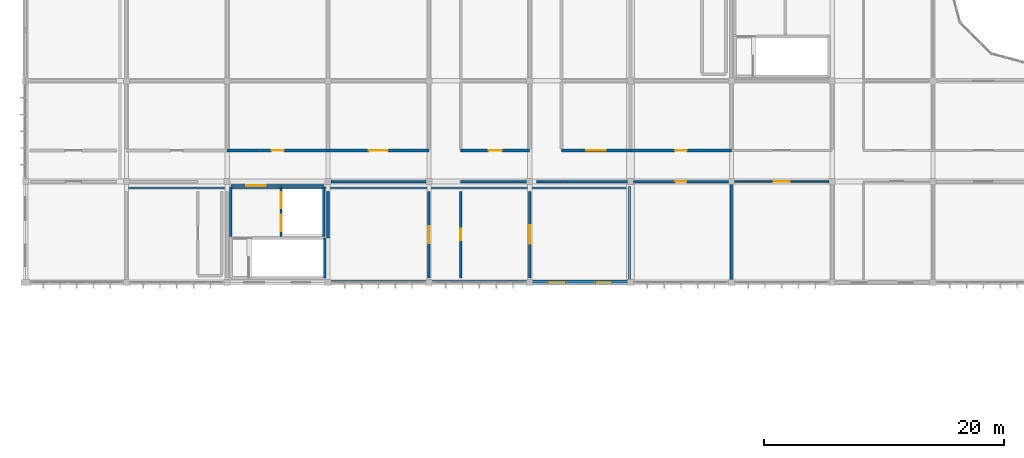
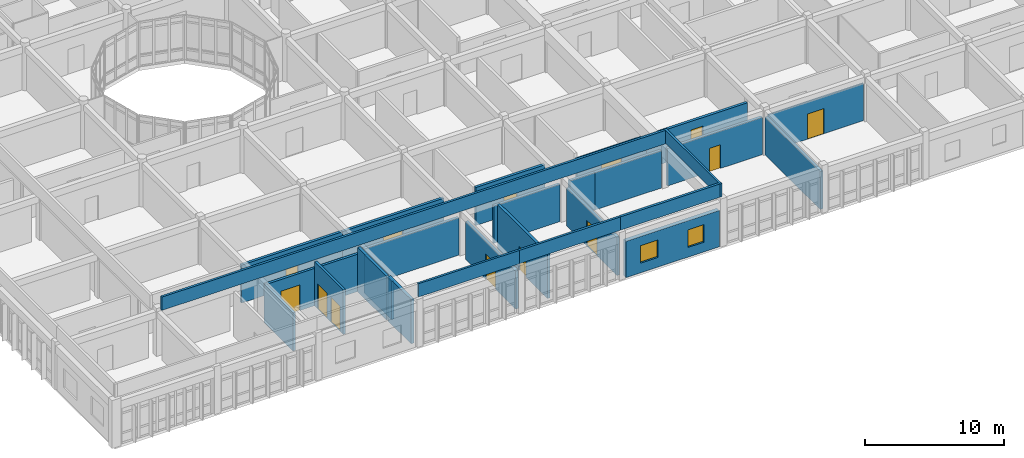
# One storey, part 77 of 119: 28 walls, 13 doors, 2 windows, 15 openings.
"""IFC4 building model written with IfcOpenShell, lengths in metres."""

from ifc_helpers import new_model, si_unit, direction, frame, frame_2d, origin, place, context, subcontext, project, spatial, rectangle, extrude, material, layer, layer_set, type_object, element, fill, save


model = new_model("IFC4")

# Units and contexts
model_context = context("Model", 3, precision=1e-05, world=origin(), true_north=direction((0.0, 1.0)))
body_context = subcontext(model_context, "Body", "Model", "MODEL_VIEW")
ifc_project = project(units=[si_unit("LENGTHUNIT", "METRE"), si_unit("AREAUNIT", "SQUARE_METRE"), si_unit("VOLUMEUNIT", "CUBIC_METRE"), si_unit("PLANEANGLEUNIT", "RADIAN"), si_unit("MASSUNIT", "GRAM", prefix="KILO")], contexts=[model_context])

# Site, building, storey
site_placement = place(None, origin())
site = spatial("IfcSite", under=ifc_project, at=site_placement, CompositionType="ELEMENT")
building_placement = place(site_placement, origin())
building = spatial("IfcBuilding", under=site, at=building_placement, Name="Bramfleet General Hospital", CompositionType="ELEMENT")
storey_placement = place(building_placement, frame((0.0, 0.0, 14.39990234375)))
storey = spatial("IfcBuildingStorey", under=building, at=storey_placement, Name="L03", CompositionType="ELEMENT", Elevation=14.39990234375)

# Wall, openings, windows
ifc_material_1 = material(Name="Precast concrete C40/50", Category="concrete")
ifc_layer_1 = layer(ifc_material_1, 0.3349609375, Name="WT-EW-03")
ifc_layer_set_1 = layer_set([ifc_layer_1], Name="Precast concrete C40/50")
wall_type_1 = type_object("IfcWallType", Name="WT-EW-03", PredefinedType="SOLIDWALL", material=ifc_layer_set_1)
wall_1_placement = place(storey_placement, frame((50.074951171875, 50.39990234375, 0.0), z_axis=(0.0, 0.0, 1.0), x_axis=(-1.0, 0.0, 0.0)))
wall_1 = element("IfcWall", 1, at=wall_1_placement, inside=storey, type_object=wall_type_1, Name="L03 Exterior Wall 274", PredefinedType="SOLIDWALL", context=body_context, shape_type="SweptSolid", body=[
    extrude(rectangle(XDim=7.75, YDim=0.3349609375, at=frame_2d((3.875, 0.0))), origin(), (0.0, 0.0, 1.0), 3.190185546875),
])
opening_1_placement = place(wall_1_placement, frame((1.262451171875, 0.0, 0.85009765625)))
opening_1 = element("IfcOpeningElement", 2, at=opening_1_placement, cuts=wall_1, Name="Opening W-24", PredefinedType="OPENING", context=body_context, shape_type="SweptSolid", body=[
    extrude(rectangle(XDim=1.35009765625, YDim=1.5400390625, at=frame_2d((0.675048828125, 0.77001953125))), frame((0.0, 0.177490234375, 0.0), z_axis=(0.0, -1.0, 0.0), x_axis=(1.0, 0.0, 0.0)), (0.0, 0.0, 1.0), 0.35498046875),
])
opening_2_placement = place(wall_1_placement, frame((5.08740234375, 0.0, 0.85009765625)))
opening_2 = element("IfcOpeningElement", 3, at=opening_2_placement, cuts=wall_1, Name="Opening W-25", PredefinedType="OPENING", context=body_context, shape_type="SweptSolid", body=[
    extrude(rectangle(XDim=1.449951171875, YDim=1.5400390625, at=frame_2d((0.72509765625, 0.77001953125))), frame((0.0, 0.177490234375, 0.0), z_axis=(0.0, -1.0, 0.0), x_axis=(1.0, 0.0, 0.0)), (0.0, 0.0, 1.0), 0.35498046875),
])
ifc_material_2 = material(Name="Anodised aluminium and low-E triple glazing", Category="aluminium")
window_type_1 = type_object("IfcWindowType", Name="WIN-W-24", PartitioningType="SINGLE_PANEL", PredefinedType="WINDOW", material=ifc_material_2)
window_1_placement = place(opening_1_placement, origin())
window_1 = element("IfcWindow", 4, at=window_1_placement, inside=storey, type_object=window_type_1, Name="L03 Facade Window WIN-L03-274-1", OverallHeight=1.5400390625, OverallWidth=1.35009765625, PartitioningType="SINGLE_PANEL", PredefinedType="WINDOW", context=body_context, shape_type="SweptSolid", body=[
    extrude(rectangle(XDim=1.35009765625, YDim=1.5400390625, at=frame_2d((0.675048828125, 0.77001953125))), frame((0.0, 0.030029296875, 0.0), z_axis=(0.0, -1.0, 0.0), x_axis=(1.0, 0.0, 0.0)), (0.0, 0.0, 1.0), 0.06005859375),
])
fill(opening_1, window_1)
window_type_2 = type_object("IfcWindowType", Name="WIN-W-25", PartitioningType="SINGLE_PANEL", PredefinedType="WINDOW", material=ifc_material_2)
window_2_placement = place(opening_2_placement, origin())
window_2 = element("IfcWindow", 5, at=window_2_placement, inside=storey, type_object=window_type_2, Name="L03 Facade Window WIN-L03-274-2", OverallHeight=1.5400390625, OverallWidth=1.449951171875, PartitioningType="SINGLE_PANEL", PredefinedType="WINDOW", context=body_context, shape_type="SweptSolid", body=[
    extrude(rectangle(XDim=1.449951171875, YDim=1.5400390625, at=frame_2d((0.72509765625, 0.77001953125))), frame((0.0, 0.030029296875, 0.0), z_axis=(0.0, -1.0, 0.0), x_axis=(1.0, 0.0, 0.0)), (0.0, 0.0, 1.0), 0.06005859375),
])
fill(opening_2, window_2)

# Walls
ifc_material_3 = material(Name="Concrete C35/45", Category="concrete")
ifc_layer_2 = layer(ifc_material_3, 0.219970703125, Name="WT-IW-01")
ifc_layer_set_2 = layer_set([ifc_layer_2], Name="Concrete C35/45")
wall_type_2 = type_object("IfcWallType", Name="WT-IW-01", PredefinedType="PARTITIONING", material=ifc_layer_set_2)
wall_2_placement = place(storey_placement, frame((25.445068359375, 58.800048828125, 0.0), z_axis=(0.0, 0.0, 1.0), x_axis=(1.0, 0.0, 0.0)))
element("IfcWall", 6, at=wall_2_placement, inside=storey, type_object=wall_type_2, Name="L03 Interior Partition IW-L03-2538", PredefinedType="PARTITIONING", context=body_context, shape_type="SweptSolid", body=[
    extrude(rectangle(XDim=7.909912109375, YDim=0.219970703125, at=frame_2d((3.955078125, 0.0))), origin(), (0.0, 0.0, 1.0), 3.280029296875),
])
wall_3_placement = place(storey_placement, frame((36.25, 58.800048828125, 0.0), z_axis=(0.0, 0.0, 1.0), x_axis=(1.0, 0.0, 0.0)))
element("IfcWall", 7, at=wall_3_placement, inside=storey, type_object=wall_type_2, Name="L03 Interior Partition IW-L03-2539", PredefinedType="PARTITIONING", context=body_context, shape_type="SweptSolid", body=[
    extrude(rectangle(XDim=5.5048828125, YDim=0.219970703125, at=frame_2d((2.75244140625, 0.0))), origin(), (0.0, 0.0, 1.0), 3.280029296875),
])
wall_4_placement = place(storey_placement, frame((42.550048828125, 58.800048828125, 0.0), z_axis=(0.0, 0.0, 1.0), x_axis=(1.0, 0.0, 0.0)))
element("IfcWall", 8, at=wall_4_placement, inside=storey, type_object=wall_type_2, Name="L03 Interior Partition IW-L03-2540", PredefinedType="PARTITIONING", context=body_context, shape_type="SweptSolid", body=[
    extrude(rectangle(XDim=2.099853515625, YDim=0.219970703125, at=frame_2d((1.0498046875, 0.0))), origin(), (0.0, 0.0, 1.0), 3.280029296875),
])
wall_5_placement = place(storey_placement, frame((44.64990234375, 58.800048828125, 0.0), z_axis=(0.0, 0.0, 1.0), x_axis=(1.0, 0.0, 0.0)))
element("IfcWall", 9, at=wall_5_placement, inside=storey, type_object=wall_type_2, Name="L03 Interior Partition IW-L03-2541", PredefinedType="PARTITIONING", context=body_context, shape_type="SweptSolid", body=[
    extrude(rectangle(XDim=5.505126953125, YDim=0.219970703125, at=frame_2d((2.75244140625, 0.0))), origin(), (0.0, 0.0, 1.0), 3.280029296875),
])

# Wall, opening, door
wall_6_placement = place(storey_placement, frame((50.64501953125, 58.800048828125, 0.0), z_axis=(0.0, 0.0, 1.0), x_axis=(1.0, 0.0, 0.0)))
wall_6 = element("IfcWall", 10, at=wall_6_placement, inside=storey, type_object=wall_type_2, Name="L03 Interior Partition IW-L03-2542", PredefinedType="PARTITIONING", context=body_context, shape_type="SweptSolid", body=[
    extrude(rectangle(XDim=7.909912109375, YDim=0.219970703125, at=frame_2d((3.955078125, 0.0))), origin(), (0.0, 0.0, 1.0), 3.280029296875),
])
opening_3_placement = place(wall_6_placement, frame((3.4951171875, 0.0, 0.0)))
opening_3 = element("IfcOpeningElement", 11, at=opening_3_placement, cuts=wall_6, Name="Opening D1081", PredefinedType="OPENING", context=body_context, shape_type="SweptSolid", body=[
    extrude(rectangle(XDim=0.919921875, YDim=2.080078125, at=frame_2d((0.4599609375, 1.0400390625))), frame((0.0, 0.119873046875, 0.0), z_axis=(0.0, -1.0, 0.0), x_axis=(1.0, 0.0, 0.0)), (0.0, 0.0, 1.0), 0.239990234375),
])
ifc_material_4 = material(Name="Stainless steel and acoustic timber leaf", Category="steel")
door_type_1 = type_object("IfcDoorType", Name="DR-D-25", OperationType="NOTDEFINED", PredefinedType="DOOR", material=ifc_material_4)
door_1_placement = place(opening_3_placement, origin())
door_1 = element("IfcDoor", 12, at=door_1_placement, inside=storey, type_object=door_type_1, Name="Surgical Air-Handling Plant Room L03-0606 Door D1081", OperationType="SINGLE_SWING_RIGHT", OverallHeight=2.080078125, OverallWidth=0.919921875, PredefinedType="DOOR", context=body_context, shape_type="SweptSolid", body=[
    extrude(rectangle(XDim=0.919921875, YDim=2.080078125, at=frame_2d((0.4599609375, 1.0400390625))), frame((0.0, 0.02490234375, 0.0), z_axis=(0.0, -1.0, 0.0), x_axis=(1.0, 0.0, 0.0)), (0.0, 0.0, 1.0), 0.050048828125),
])
fill(opening_3, door_1)

wall_7_placement = place(storey_placement, frame((16.800048828125, 61.39990234375, 0.0), z_axis=(0.0, 0.0, 1.0), x_axis=(1.0, 0.0, 0.0)))
wall_7 = element("IfcWall", 13, at=wall_7_placement, inside=storey, type_object=wall_type_2, Name="L03 Interior Partition IW-L03-2554", PredefinedType="PARTITIONING", context=body_context, shape_type="SweptSolid", body=[
    extrude(rectangle(XDim=8.39990234375, YDim=0.219970703125, at=frame_2d((4.199951171875, 0.0))), origin(), (0.0, 0.0, 1.0), 3.330078125),
])
opening_4_placement = place(wall_7_placement, frame((3.68994140625, 0.0, 0.0)))
opening_4 = element("IfcOpeningElement", 14, at=opening_4_placement, cuts=wall_7, Name="Opening D1045", PredefinedType="OPENING", context=body_context, shape_type="SweptSolid", body=[
    extrude(rectangle(XDim=1.02001953125, YDim=2.1201171875, at=frame_2d((0.510009765625, 1.06005859375))), frame((0.0, 0.119873046875, 0.0), z_axis=(0.0, -1.0, 0.0), x_axis=(1.0, 0.0, 0.0)), (0.0, 0.0, 1.0), 0.239990234375),
])
door_type_2 = type_object("IfcDoorType", Name="DR-D-21", OperationType="NOTDEFINED", PredefinedType="DOOR", material=ifc_material_4)
door_2_placement = place(opening_4_placement, origin())
door_2 = element("IfcDoor", 15, at=door_2_placement, inside=storey, type_object=door_type_2, Name="Surgical Air-Handling Plant Room L03-0207 Door D1045", OperationType="SINGLE_SWING_RIGHT", OverallHeight=2.1201171875, OverallWidth=1.02001953125, PredefinedType="DOOR", context=body_context, shape_type="SweptSolid", body=[
    extrude(rectangle(XDim=1.02001953125, YDim=2.1201171875, at=frame_2d((0.510009765625, 1.06005859375))), frame((0.0, 0.02490234375, 0.0), z_axis=(0.0, -1.0, 0.0), x_axis=(1.0, 0.0, 0.0)), (0.0, 0.0, 1.0), 0.050048828125),
])
fill(opening_4, door_2)

wall_8_placement = place(storey_placement, frame((25.199951171875, 61.39990234375, 0.0), z_axis=(0.0, 0.0, 1.0), x_axis=(1.0, 0.0, 0.0)))
wall_8 = element("IfcWall", 16, at=wall_8_placement, inside=storey, type_object=wall_type_2, Name="L03 Interior Partition IW-L03-2555", PredefinedType="PARTITIONING", context=body_context, shape_type="SweptSolid", body=[
    extrude(rectangle(XDim=8.400146484375, YDim=0.219970703125, at=frame_2d((4.2001953125, 0.0))), origin(), (0.0, 0.0, 1.0), 3.330078125),
])
opening_5_placement = place(wall_8_placement, frame((3.409912109375, 0.0, 0.0)))
opening_5 = element("IfcOpeningElement", 17, at=opening_5_placement, cuts=wall_8, Name="Opening D1056", PredefinedType="OPENING", context=body_context, shape_type="SweptSolid", body=[
    extrude(rectangle(XDim=1.580078125, YDim=2.219970703125, at=frame_2d((0.7900390625, 1.10986328125))), frame((0.0, 0.119873046875, 0.0), z_axis=(0.0, -1.0, 0.0), x_axis=(1.0, 0.0, 0.0)), (0.0, 0.0, 1.0), 0.239990234375),
])
door_type_3 = type_object("IfcDoorType", Name="DR-D-32", OperationType="NOTDEFINED", PredefinedType="DOOR", material=ifc_material_4)
door_3_placement = place(opening_5_placement, origin())
door_3 = element("IfcDoor", 18, at=door_3_placement, inside=storey, type_object=door_type_3, Name="Surgical Air-Handling Plant Room L03-0307 Door D1056", OperationType="DOUBLE_SWING_LEFT", OverallHeight=2.219970703125, OverallWidth=1.580078125, PredefinedType="DOOR", context=body_context, shape_type="SweptSolid", body=[
    extrude(rectangle(XDim=1.580078125, YDim=2.219970703125, at=frame_2d((0.7900390625, 1.10986328125))), frame((0.0, 0.02490234375, 0.0), z_axis=(0.0, -1.0, 0.0), x_axis=(1.0, 0.0, 0.0)), (0.0, 0.0, 1.0), 0.050048828125),
])
fill(opening_5, door_3)

wall_9_placement = place(storey_placement, frame((36.25, 61.39990234375, 0.0), z_axis=(0.0, 0.0, 1.0), x_axis=(1.0, 0.0, 0.0)))
wall_9 = element("IfcWall", 19, at=wall_9_placement, inside=storey, type_object=wall_type_2, Name="L03 Interior Partition IW-L03-2556", PredefinedType="PARTITIONING", context=body_context, shape_type="SweptSolid", body=[
    extrude(rectangle(XDim=5.75, YDim=0.219970703125, at=frame_2d((2.875, 0.0))), origin(), (0.0, 0.0, 1.0), 3.330078125),
])
opening_6_placement = place(wall_9_placement, frame((2.324951171875, 0.0, 0.0)))
opening_6 = element("IfcOpeningElement", 20, at=opening_6_placement, cuts=wall_9, Name="Opening D1067", PredefinedType="OPENING", context=body_context, shape_type="SweptSolid", body=[
    extrude(rectangle(XDim=1.10009765625, YDim=2.14990234375, at=frame_2d((0.550048828125, 1.074951171875))), frame((0.0, 0.119873046875, 0.0), z_axis=(0.0, -1.0, 0.0), x_axis=(1.0, 0.0, 0.0)), (0.0, 0.0, 1.0), 0.239990234375),
])
door_type_4 = type_object("IfcDoorType", Name="DR-D-11", OperationType="NOTDEFINED", PredefinedType="DOOR", material=ifc_material_4)
door_4_placement = place(opening_6_placement, origin())
door_4 = element("IfcDoor", 21, at=door_4_placement, inside=storey, type_object=door_type_4, Name="Surgical Air-Handling Plant Room L03-0407 Door D1067", OperationType="SINGLE_SWING_RIGHT", OverallHeight=2.14990234375, OverallWidth=1.10009765625, PredefinedType="DOOR", context=body_context, shape_type="SweptSolid", body=[
    extrude(rectangle(XDim=1.10009765625, YDim=2.14990234375, at=frame_2d((0.550048828125, 1.074951171875))), frame((0.0, 0.02490234375, 0.0), z_axis=(0.0, -1.0, 0.0), x_axis=(1.0, 0.0, 0.0)), (0.0, 0.0, 1.0), 0.050048828125),
])
fill(opening_6, door_4)

wall_10_placement = place(storey_placement, frame((44.64990234375, 61.39990234375, 0.0), z_axis=(0.0, 0.0, 1.0), x_axis=(1.0, 0.0, 0.0)))
wall_10 = element("IfcWall", 22, at=wall_10_placement, inside=storey, type_object=wall_type_2, Name="L03 Interior Partition IW-L03-2557", PredefinedType="PARTITIONING", context=body_context, shape_type="SweptSolid", body=[
    extrude(rectangle(XDim=5.75, YDim=0.219970703125, at=frame_2d((2.875, 0.0))), origin(), (0.0, 0.0, 1.0), 2.880126953125),
])
opening_7_placement = place(wall_10_placement, frame((2.054931640625, 0.0, 0.0)))
opening_7 = element("IfcOpeningElement", 23, at=opening_7_placement, cuts=wall_10, Name="Opening D1074", PredefinedType="OPENING", context=body_context, shape_type="SweptSolid", body=[
    extrude(rectangle(XDim=1.639892578125, YDim=2.280029296875, at=frame_2d((0.81982421875, 1.14013671875))), frame((0.0, 0.119873046875, 0.0), z_axis=(0.0, -1.0, 0.0), x_axis=(1.0, 0.0, 0.0)), (0.0, 0.0, 1.0), 0.239990234375),
])
door_type_5 = type_object("IfcDoorType", Name="DR-D-18", OperationType="NOTDEFINED", PredefinedType="DOOR", material=ifc_material_4)
door_5_placement = place(opening_7_placement, origin())
door_5 = element("IfcDoor", 24, at=door_5_placement, inside=storey, type_object=door_type_5, Name="Surgical Air-Handling Plant Room L03-0507 Door D1074", OperationType="DOUBLE_SWING_LEFT", OverallHeight=2.280029296875, OverallWidth=1.639892578125, PredefinedType="DOOR", context=body_context, shape_type="SweptSolid", body=[
    extrude(rectangle(XDim=1.639892578125, YDim=2.280029296875, at=frame_2d((0.81982421875, 1.14013671875))), frame((0.0, 0.02490234375, 0.0), z_axis=(0.0, -1.0, 0.0), x_axis=(1.0, 0.0, 0.0)), (0.0, 0.0, 1.0), 0.050048828125),
])
fill(opening_7, door_5)

wall_11_placement = place(storey_placement, frame((50.39990234375, 61.39990234375, 0.0), z_axis=(0.0, 0.0, 1.0), x_axis=(1.0, 0.0, 0.0)))
wall_11 = element("IfcWall", 25, at=wall_11_placement, inside=storey, type_object=wall_type_2, Name="L03 Interior Partition IW-L03-2558", PredefinedType="PARTITIONING", context=body_context, shape_type="SweptSolid", body=[
    extrude(rectangle(XDim=8.400146484375, YDim=0.219970703125, at=frame_2d((4.2001953125, 0.0))), origin(), (0.0, 0.0, 1.0), 2.880126953125),
])
opening_8_placement = place(wall_11_placement, frame((3.7099609375, 0.0, 0.0)))
opening_8 = element("IfcOpeningElement", 26, at=opening_8_placement, cuts=wall_11, Name="Opening D1082", PredefinedType="OPENING", context=body_context, shape_type="SweptSolid", body=[
    extrude(rectangle(XDim=0.97998046875, YDim=2.1201171875, at=frame_2d((0.489990234375, 1.06005859375))), frame((0.0, 0.119873046875, 0.0), z_axis=(0.0, -1.0, 0.0), x_axis=(1.0, 0.0, 0.0)), (0.0, 0.0, 1.0), 0.239990234375),
])
door_type_6 = type_object("IfcDoorType", Name="DR-D-26", OperationType="NOTDEFINED", PredefinedType="DOOR", material=ifc_material_4)
door_6_placement = place(opening_8_placement, origin())
door_6 = element("IfcDoor", 27, at=door_6_placement, inside=storey, type_object=door_type_6, Name="Surgical Air-Handling Plant Room L03-0607 Door D1082", OperationType="SINGLE_SWING_LEFT", OverallHeight=2.1201171875, OverallWidth=0.97998046875, PredefinedType="DOOR", context=body_context, shape_type="SweptSolid", body=[
    extrude(rectangle(XDim=0.97998046875, YDim=2.1201171875, at=frame_2d((0.489990234375, 1.06005859375))), frame((0.0, 0.02490234375, 0.0), z_axis=(0.0, -1.0, 0.0), x_axis=(1.0, 0.0, 0.0)), (0.0, 0.0, 1.0), 0.050048828125),
])
fill(opening_8, door_6)

# Wall
wall_12_placement = place(storey_placement, frame((25.199951171875, 54.10009765625, 0.0), z_axis=(0.0, 0.0, 1.0), x_axis=(0.0, 1.0, 0.0)))
element("IfcWall", 28, at=wall_12_placement, inside=storey, type_object=wall_type_2, Name="L03 Interior Partition IW-L03-2805", PredefinedType="PARTITIONING", context=body_context, shape_type="SweptSolid", body=[
    extrude(rectangle(XDim=3.8974609375, YDim=0.219970703125, at=frame_2d((1.94873046875, 0.0))), origin(), (0.0, 0.0, 1.0), 3.340087890625),
])

# Wall, opening, door
wall_13_placement = place(storey_placement, frame((33.60009765625, 50.782470703125, 0.0), z_axis=(0.0, 0.0, 1.0), x_axis=(0.0, 1.0, 0.0)))
wall_13 = element("IfcWall", 29, at=wall_13_placement, inside=storey, type_object=wall_type_2, Name="L03 Interior Partition IW-L03-2822", PredefinedType="PARTITIONING", context=body_context, shape_type="SweptSolid", body=[
    extrude(rectangle(XDim=7.215087890625, YDim=0.219970703125, at=frame_2d((3.607421875, 0.0))), origin(), (0.0, 0.0, 1.0), 3.340087890625),
])
opening_9_placement = place(wall_13_placement, frame((2.8974609375, 0.0, 0.0)))
opening_9 = element("IfcOpeningElement", 30, at=opening_9_placement, cuts=wall_13, Name="Opening D1055", PredefinedType="OPENING", context=body_context, shape_type="SweptSolid", body=[
    extrude(rectangle(XDim=1.419921875, YDim=2.219970703125, at=frame_2d((0.7099609375, 1.10986328125))), frame((0.0, 0.119873046875, 0.0), z_axis=(0.0, -1.0, 0.0), x_axis=(1.0, 0.0, 0.0)), (0.0, 0.0, 1.0), 0.239990234375),
])
door_type_7 = type_object("IfcDoorType", Name="DR-D-31", OperationType="NOTDEFINED", PredefinedType="DOOR", material=ifc_material_4)
door_7_placement = place(opening_9_placement, origin())
door_7 = element("IfcDoor", 31, at=door_7_placement, inside=storey, type_object=door_type_7, Name="Surgical Air-Handling Plant Room L03-0306 Door D1055", OperationType="SINGLE_SWING_RIGHT", OverallHeight=2.219970703125, OverallWidth=1.419921875, PredefinedType="DOOR", context=body_context, shape_type="SweptSolid", body=[
    extrude(rectangle(XDim=1.419921875, YDim=2.219970703125, at=frame_2d((0.7099609375, 1.10986328125))), frame((0.0, 0.02490234375, 0.0), z_axis=(0.0, -1.0, 0.0), x_axis=(1.0, 0.0, 0.0)), (0.0, 0.0, 1.0), 0.050048828125),
])
fill(opening_9, door_7)

wall_14_placement = place(storey_placement, frame((36.25, 50.782470703125, 0.0), z_axis=(0.0, 0.0, 1.0), x_axis=(0.0, 1.0, 0.0)))
wall_14 = element("IfcWall", 32, at=wall_14_placement, inside=storey, type_object=wall_type_2, Name="L03 Interior Partition IW-L03-2832", PredefinedType="PARTITIONING", context=body_context, shape_type="SweptSolid", body=[
    extrude(rectangle(XDim=7.215087890625, YDim=0.219970703125, at=frame_2d((3.607421875, 0.0))), origin(), (0.0, 0.0, 1.0), 3.89013671875),
])
opening_10_placement = place(wall_14_placement, frame((3.132568359375, 0.0, 0.0)))
opening_10 = element("IfcOpeningElement", 33, at=opening_10_placement, cuts=wall_14, Name="Opening D1066", PredefinedType="OPENING", context=body_context, shape_type="SweptSolid", body=[
    extrude(rectangle(XDim=0.949951171875, YDim=2.10009765625, at=frame_2d((0.47509765625, 1.050048828125))), frame((0.0, 0.119873046875, 0.0), z_axis=(0.0, -1.0, 0.0), x_axis=(1.0, 0.0, 0.0)), (0.0, 0.0, 1.0), 0.239990234375),
])
door_type_8 = type_object("IfcDoorType", Name="DR-D-10", OperationType="NOTDEFINED", PredefinedType="DOOR", material=ifc_material_4)
door_8_placement = place(opening_10_placement, origin())
door_8 = element("IfcDoor", 34, at=door_8_placement, inside=storey, type_object=door_type_8, Name="Surgical Air-Handling Plant Room L03-0406 Door D1066", OperationType="SINGLE_SWING_LEFT", OverallHeight=2.10009765625, OverallWidth=0.949951171875, PredefinedType="DOOR", context=body_context, shape_type="SweptSolid", body=[
    extrude(rectangle(XDim=0.949951171875, YDim=2.10009765625, at=frame_2d((0.47509765625, 1.050048828125))), frame((0.0, 0.02490234375, 0.0), z_axis=(0.0, -1.0, 0.0), x_axis=(1.0, 0.0, 0.0)), (0.0, 0.0, 1.0), 0.050048828125),
])
fill(opening_10, door_8)

wall_15_placement = place(storey_placement, frame((42.0, 50.7900390625, 0.0), z_axis=(0.0, 0.0, 1.0), x_axis=(0.0, 1.0, 0.0)))
wall_15 = element("IfcWall", 35, at=wall_15_placement, inside=storey, type_object=wall_type_2, Name="L03 Interior Partition IW-L03-2840", PredefinedType="PARTITIONING", context=body_context, shape_type="SweptSolid", body=[
    extrude(rectangle(XDim=7.20751953125, YDim=0.219970703125, at=frame_2d((3.603759765625, 0.0))), origin(), (0.0, 0.0, 1.0), 3.340087890625),
])
opening_11_placement = place(wall_15_placement, frame((2.833740234375, 0.0, 0.0)))
opening_11 = element("IfcOpeningElement", 36, at=opening_11_placement, cuts=wall_15, Name="Opening D1073", PredefinedType="OPENING", context=body_context, shape_type="SweptSolid", body=[
    extrude(rectangle(XDim=1.5400390625, YDim=2.239990234375, at=frame_2d((0.77001953125, 1.1201171875))), frame((0.0, 0.119873046875, 0.0), z_axis=(0.0, -1.0, 0.0), x_axis=(1.0, 0.0, 0.0)), (0.0, 0.0, 1.0), 0.239990234375),
])
door_type_9 = type_object("IfcDoorType", Name="DR-D-17", OperationType="NOTDEFINED", PredefinedType="DOOR", material=ifc_material_4)
door_9_placement = place(opening_11_placement, origin())
door_9 = element("IfcDoor", 37, at=door_9_placement, inside=storey, type_object=door_type_9, Name="Surgical Air-Handling Plant Room L03-0506 Door D1073", OperationType="SINGLE_SWING_RIGHT", OverallHeight=2.239990234375, OverallWidth=1.5400390625, PredefinedType="DOOR", context=body_context, shape_type="SweptSolid", body=[
    extrude(rectangle(XDim=1.5400390625, YDim=2.239990234375, at=frame_2d((0.77001953125, 1.1201171875))), frame((0.0, 0.02490234375, 0.0), z_axis=(0.0, -1.0, 0.0), x_axis=(1.0, 0.0, 0.0)), (0.0, 0.0, 1.0), 0.050048828125),
])
fill(opening_11, door_9)

# Wall
wall_16_placement = place(storey_placement, frame((58.800048828125, 50.64501953125, 0.0), z_axis=(0.0, 0.0, 1.0), x_axis=(0.0, 1.0, 0.0)))
element("IfcWall", 38, at=wall_16_placement, inside=storey, type_object=wall_type_2, Name="L03 Interior Partition IW-L03-2875", PredefinedType="PARTITIONING", context=body_context, shape_type="SweptSolid", body=[
    extrude(rectangle(XDim=7.909912109375, YDim=0.219970703125, at=frame_2d((3.955078125, 0.0))), origin(), (0.0, 0.0, 1.0), 3.340087890625),
])

# Wall, openings, doors
ifc_layer_3 = layer(ifc_material_3, 0.205078125, Name="WT-IW-02")
ifc_layer_set_3 = layer_set([ifc_layer_3], Name="Concrete C35/45")
wall_type_3 = type_object("IfcWallType", Name="WT-IW-02", PredefinedType="PARTITIONING", material=ifc_layer_set_3)
wall_17_placement = place(storey_placement, frame((21.280029296875, 54.239990234375, 0.0), z_axis=(0.0, 0.0, 1.0), x_axis=(0.0, 1.0, 0.0)))
wall_17 = element("IfcWall", 39, at=wall_17_placement, inside=storey, type_object=wall_type_3, Name="L03 C2 Lobby East Shaft Wall", PredefinedType="PARTITIONING", context=body_context, shape_type="SweptSolid", body=[
    extrude(rectangle(XDim=4.1201171875, YDim=0.205078125, at=frame_2d((2.06005859375, 0.0))), origin(), (0.0, 0.0, 1.0), 3.89013671875),
])
opening_12_placement = place(wall_17_placement, frame((0.445068359375, 0.0, 0.0)))
opening_12 = element("IfcOpeningElement", 40, at=opening_12_placement, cuts=wall_17, Name="Opening LD-BL-01-L03", PredefinedType="OPENING", context=body_context, shape_type="SweptSolid", body=[
    extrude(rectangle(XDim=1.35009765625, YDim=2.199951171875, at=frame_2d((0.675048828125, 1.10009765625))), frame((0.0, 0.112548828125, 0.0), z_axis=(0.0, -1.0, 0.0), x_axis=(1.0, 0.0, 0.0)), (0.0, 0.0, 1.0), 0.22509765625),
])
opening_13_placement = place(wall_17_placement, frame((2.324951171875, 0.0, 0.0)))
opening_13 = element("IfcOpeningElement", 41, at=opening_13_placement, cuts=wall_17, Name="Opening LD-GL-01-L03", PredefinedType="OPENING", context=body_context, shape_type="SweptSolid", body=[
    extrude(rectangle(XDim=1.35009765625, YDim=2.199951171875, at=frame_2d((0.675048828125, 1.10009765625))), frame((0.0, 0.112548828125, 0.0), z_axis=(0.0, -1.0, 0.0), x_axis=(1.0, 0.0, 0.0)), (0.0, 0.0, 1.0), 0.22509765625),
])
ifc_material_5 = material(Name="Brushed stainless steel 1.4301", Category="steel")
door_type_10 = type_object("IfcDoorType", Name="DR-LD-01", OperationType="NOTDEFINED", PredefinedType="DOOR", material=ifc_material_5)
door_10_placement = place(opening_12_placement, origin())
door_10 = element("IfcDoor", 42, at=door_10_placement, inside=storey, type_object=door_type_10, Name="L03 Lift BL-01 Sliding Landing Door", OperationType="SLIDING_TO_LEFT", OverallHeight=2.199951171875, OverallWidth=1.35009765625, PredefinedType="DOOR", context=body_context, shape_type="SweptSolid", body=[
    extrude(rectangle(XDim=1.35009765625, YDim=2.199951171875, at=frame_2d((0.675048828125, 1.10009765625))), frame((0.0, 0.02490234375, 0.0), z_axis=(0.0, -1.0, 0.0), x_axis=(1.0, 0.0, 0.0)), (0.0, 0.0, 1.0), 0.050048828125),
])
fill(opening_12, door_10)
door_11_placement = place(opening_13_placement, origin())
door_11 = element("IfcDoor", 43, at=door_11_placement, inside=storey, type_object=door_type_10, Name="L03 Lift GL-01 Sliding Landing Door", OperationType="SLIDING_TO_LEFT", OverallHeight=2.199951171875, OverallWidth=1.35009765625, PredefinedType="DOOR", context=body_context, shape_type="SweptSolid", body=[
    extrude(rectangle(XDim=1.35009765625, YDim=2.199951171875, at=frame_2d((0.675048828125, 1.10009765625))), frame((0.0, 0.02490234375, 0.0), z_axis=(0.0, -1.0, 0.0), x_axis=(1.0, 0.0, 0.0)), (0.0, 0.0, 1.0), 0.050048828125),
])
fill(opening_13, door_11)

# Walls
wall_18_placement = place(storey_placement, frame((24.85009765625, 54.239990234375, 0.0), z_axis=(0.0, 0.0, 1.0), x_axis=(0.0, 1.0, 0.0)))
element("IfcWall", 44, at=wall_18_placement, inside=storey, type_object=wall_type_3, Name="L03 C2 Lift Shaft East Wall", PredefinedType="PARTITIONING", context=body_context, shape_type="SweptSolid", body=[
    extrude(rectangle(XDim=4.1201171875, YDim=0.205078125, at=frame_2d((2.06005859375, 0.0))), origin(), (0.0, 0.0, 1.0), 3.89013671875),
])
wall_19_placement = place(storey_placement, frame((21.280029296875, 58.47998046875, 0.0), z_axis=(0.0, 0.0, 1.0), x_axis=(1.0, 0.0, 0.0)))
element("IfcWall", 45, at=wall_19_placement, inside=storey, type_object=wall_type_3, Name="L03 C2 Lift Shaft North Wall", PredefinedType="PARTITIONING", context=body_context, shape_type="SweptSolid", body=[
    extrude(rectangle(XDim=3.570068359375, YDim=0.205078125, at=frame_2d((1.78515625, 0.0))), origin(), (0.0, 0.0, 1.0), 3.280029296875),
])
wall_20_placement = place(storey_placement, frame((17.10009765625, 54.239990234375, 0.0), z_axis=(0.0, 0.0, 1.0), x_axis=(0.0, 1.0, 0.0)))
element("IfcWall", 46, at=wall_20_placement, inside=storey, type_object=wall_type_3, Name="L03 C2 Lobby West Compartment Wall", PredefinedType="PARTITIONING", context=body_context, shape_type="SweptSolid", body=[
    extrude(rectangle(XDim=4.1201171875, YDim=0.205078125, at=frame_2d((2.06005859375, 0.0))), origin(), (0.0, 0.0, 1.0), 3.340087890625),
])

# Wall, opening, door
wall_21_placement = place(storey_placement, frame((17.10009765625, 58.47998046875, 0.0), z_axis=(0.0, 0.0, 1.0), x_axis=(1.0, 0.0, 0.0)))
wall_21 = element("IfcWall", 47, at=wall_21_placement, inside=storey, type_object=wall_type_3, Name="L03 C2 Lobby North Compartment Wall", PredefinedType="PARTITIONING", context=body_context, shape_type="SweptSolid", body=[
    extrude(rectangle(XDim=4.179931640625, YDim=0.205078125, at=frame_2d((2.08984375, 0.0))), origin(), (0.0, 0.0, 1.0), 3.280029296875),
])
opening_14_placement = place(wall_21_placement, frame((1.2900390625, 0.0, 0.0)))
opening_14 = element("IfcOpeningElement", 48, at=opening_14_placement, cuts=wall_21, Name="Opening D0018", PredefinedType="OPENING", context=body_context, shape_type="SweptSolid", body=[
    extrude(rectangle(XDim=1.60009765625, YDim=2.25, at=frame_2d((0.800048828125, 1.125))), frame((0.0, 0.112548828125, 0.0), z_axis=(0.0, -1.0, 0.0), x_axis=(1.0, 0.0, 0.0)), (0.0, 0.0, 1.0), 0.22509765625),
])
door_type_11 = type_object("IfcDoorType", Name="DR-D-04", OperationType="NOTDEFINED", PredefinedType="DOOR", material=ifc_material_4)
door_12_placement = place(opening_14_placement, origin())
door_12 = element("IfcDoor", 49, at=door_12_placement, inside=storey, type_object=door_type_11, Name="L03 C2 Lobby Fire Door D0018", OperationType="DOUBLE_SWING_LEFT", OverallHeight=2.25, OverallWidth=1.60009765625, PredefinedType="DOOR", context=body_context, shape_type="SweptSolid", body=[
    extrude(rectangle(XDim=1.60009765625, YDim=2.25, at=frame_2d((0.800048828125, 1.125))), frame((0.0, 0.02490234375, 0.0), z_axis=(0.0, -1.0, 0.0), x_axis=(1.0, 0.0, 0.0)), (0.0, 0.0, 1.0), 0.050048828125),
])
fill(opening_14, door_12)

ifc_material_6 = material(Name="Gypsum plasterboard on acoustic steel studs", Category="steel")
ifc_layer_4 = layer(ifc_material_6, 0.112060546875, Name="WT-IW-11")
ifc_layer_set_4 = layer_set([ifc_layer_4], Name="Gypsum plasterboard on acoustic steel studs")
wall_type_4 = type_object("IfcWallType", Name="WT-IW-11", PredefinedType="PARTITIONING", material=ifc_layer_set_4)
wall_22_placement = place(storey_placement, frame((59.044921875, 58.800048828125, 0.0), z_axis=(0.0, 0.0, 1.0), x_axis=(1.0, 0.0, 0.0)))
wall_22 = element("IfcWall", 50, at=wall_22_placement, inside=storey, type_object=wall_type_4, Name="L03 Interior Partition IW-L03-2543", PredefinedType="PARTITIONING", context=body_context, shape_type="SweptSolid", body=[
    extrude(rectangle(XDim=7.91015625, YDim=0.112060546875, at=frame_2d((3.955078125, 0.0))), origin(), (0.0, 0.0, 1.0), 3.280029296875),
])
opening_15_placement = place(wall_22_placement, frame((3.280029296875, 0.0, 0.0)))
opening_15 = element("IfcOpeningElement", 51, at=opening_15_placement, cuts=wall_22, Name="Opening D1090", PredefinedType="OPENING", context=body_context, shape_type="SweptSolid", body=[
    extrude(rectangle(XDim=1.35009765625, YDim=2.199951171875, at=frame_2d((0.675048828125, 1.10009765625))), frame((0.0, 0.06591796875, 0.0), z_axis=(0.0, -1.0, 0.0), x_axis=(1.0, 0.0, 0.0)), (0.0, 0.0, 1.0), 0.132080078125),
])
door_type_12 = type_object("IfcDoorType", Name="DR-D-02", OperationType="NOTDEFINED", PredefinedType="DOOR", material=ifc_material_4)
door_13_placement = place(opening_15_placement, origin())
door_13 = element("IfcDoor", 52, at=door_13_placement, inside=storey, type_object=door_type_12, Name="Maternity Delivery Suite and Clinical Lab L03-0706 Door D1090", OperationType="SINGLE_SWING_LEFT", OverallHeight=2.199951171875, OverallWidth=1.35009765625, PredefinedType="DOOR", context=body_context, shape_type="SweptSolid", body=[
    extrude(rectangle(XDim=1.35009765625, YDim=2.199951171875, at=frame_2d((0.675048828125, 1.10009765625))), frame((0.0, 0.02490234375, 0.0), z_axis=(0.0, -1.0, 0.0), x_axis=(1.0, 0.0, 0.0)), (0.0, 0.0, 1.0), 0.050048828125),
])
fill(opening_15, door_13)

# Walls
ifc_layer_5 = layer(ifc_material_1, 0.199951171875, Name="WT-PW-01")
ifc_layer_set_5 = layer_set([ifc_layer_5], Name="Precast concrete C40/50")
wall_type_5 = type_object("IfcWallType", Name="WT-PW-01", PredefinedType="PARAPET", material=ifc_layer_set_5)
wall_23_placement = place(storey_placement, frame((50.39990234375, 50.510009765625, 4.18017578125), z_axis=(0.0, 0.0, 1.0), x_axis=(-1.0, 0.0, 0.0)))
element("IfcWall", 53, at=wall_23_placement, inside=storey, type_object=wall_type_5, Name="Roof Parapet Wall 64", PredefinedType="PARAPET", context=body_context, shape_type="SweptSolid", body=[
    extrude(rectangle(XDim=8.39990234375, YDim=0.199951171875, at=frame_2d((4.199951171875, 0.0))), origin(), (0.0, 0.0, 1.0), 1.169921875),
])
ifc_layer_6 = layer(ifc_material_1, 0.18505859375, Name="WT-PW-02")
ifc_layer_set_6 = layer_set([ifc_layer_6], Name="Precast concrete C40/50")
wall_type_6 = type_object("IfcWallType", Name="WT-PW-02", PredefinedType="PARAPET", material=ifc_layer_set_6)
wall_24_placement = place(storey_placement, frame((8.39990234375, 58.277587890625, 4.18017578125), z_axis=(0.0, 0.0, 1.0), x_axis=(1.0, 0.0, 0.0)))
element("IfcWall", 54, at=wall_24_placement, inside=storey, type_object=wall_type_6, Name="Roof Parapet Wall 62", PredefinedType="PARAPET", context=body_context, shape_type="SweptSolid", body=[
    extrude(rectangle(XDim=42.0, YDim=0.18505859375, at=frame_2d((21.0, 0.0))), origin(), (0.0, 0.0, 1.0), 1.169921875),
])
wall_25_placement = place(storey_placement, frame((42.0, 50.50244140625, 4.18017578125), z_axis=(0.0, 0.0, 1.0), x_axis=(-1.0, 0.0, 0.0)))
element("IfcWall", 55, at=wall_25_placement, inside=storey, type_object=wall_type_6, Name="Roof Parapet Wall 65", PredefinedType="PARAPET", context=body_context, shape_type="SweptSolid", body=[
    extrude(rectangle(XDim=8.39990234375, YDim=0.18505859375, at=frame_2d((4.199951171875, 0.0))), origin(), (0.0, 0.0, 1.0), 1.169921875),
])
ifc_layer_7 = layer(ifc_material_1, 0.169921875, Name="WT-PW-03")
ifc_layer_set_7 = layer_set([ifc_layer_7], Name="Precast concrete C40/50")
wall_type_7 = type_object("IfcWallType", Name="WT-PW-03", PredefinedType="PARAPET", material=ifc_layer_set_7)
wall_26_placement = place(storey_placement, frame((50.304931640625, 58.3798828125, 4.18017578125), z_axis=(0.0, 0.0, 1.0), x_axis=(0.0, -1.0, 0.0)))
element("IfcWall", 56, at=wall_26_placement, inside=storey, type_object=wall_type_7, Name="Roof Parapet Wall 63", PredefinedType="PARAPET", context=body_context, shape_type="SweptSolid", body=[
    extrude(rectangle(XDim=7.97998046875, YDim=0.169921875, at=frame_2d((3.989990234375, 0.0))), origin(), (0.0, 0.0, 1.0), 1.169921875),
])
wall_27_placement = place(storey_placement, frame((33.60009765625, 50.4951171875, 4.18017578125), z_axis=(0.0, 0.0, 1.0), x_axis=(-1.0, 0.0, 0.0)))
element("IfcWall", 57, at=wall_27_placement, inside=storey, type_object=wall_type_7, Name="Roof Parapet Wall 66", PredefinedType="PARAPET", context=body_context, shape_type="SweptSolid", body=[
    extrude(rectangle(XDim=8.400146484375, YDim=0.169921875, at=frame_2d((4.2001953125, 0.0))), origin(), (0.0, 0.0, 1.0), 1.169921875),
])
ifc_material_7 = material(Name="Concrete C40/50", Category="concrete")
ifc_layer_8 = layer(ifc_material_7, 0.239990234375, Name="WT-SW-240")
ifc_layer_set_8 = layer_set([ifc_layer_8], Name="Concrete C40/50")
wall_type_8 = type_object("IfcWallType", Name="WT-SW-240", PredefinedType="SHEAR", material=ifc_layer_set_8)
wall_28_placement = place(storey_placement, frame((24.919921875, 50.780029296875, 0.0), z_axis=(0.0, 0.0, 1.0), x_axis=(0.0, 1.0, 0.0)))
element("IfcWall", 58, at=wall_28_placement, inside=storey, type_object=wall_type_8, Name="L03 C2 East Stair Shear Wall", PredefinedType="SHEAR", context=body_context, shape_type="SweptSolid", body=[
    extrude(rectangle(XDim=3.320068359375, YDim=0.239990234375, at=frame_2d((1.66015625, 0.0))), origin(), (0.0, 0.0, 1.0), 3.900146484375),
])

save(model, "model.ifc")
